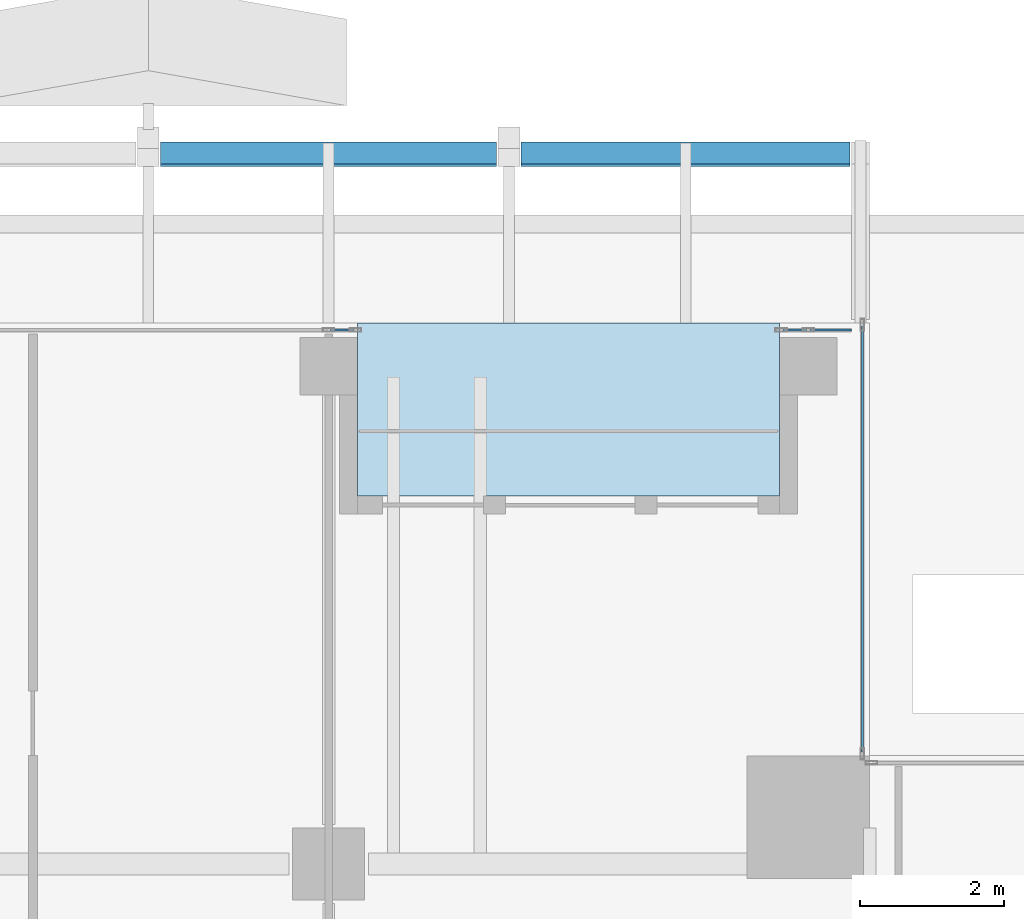
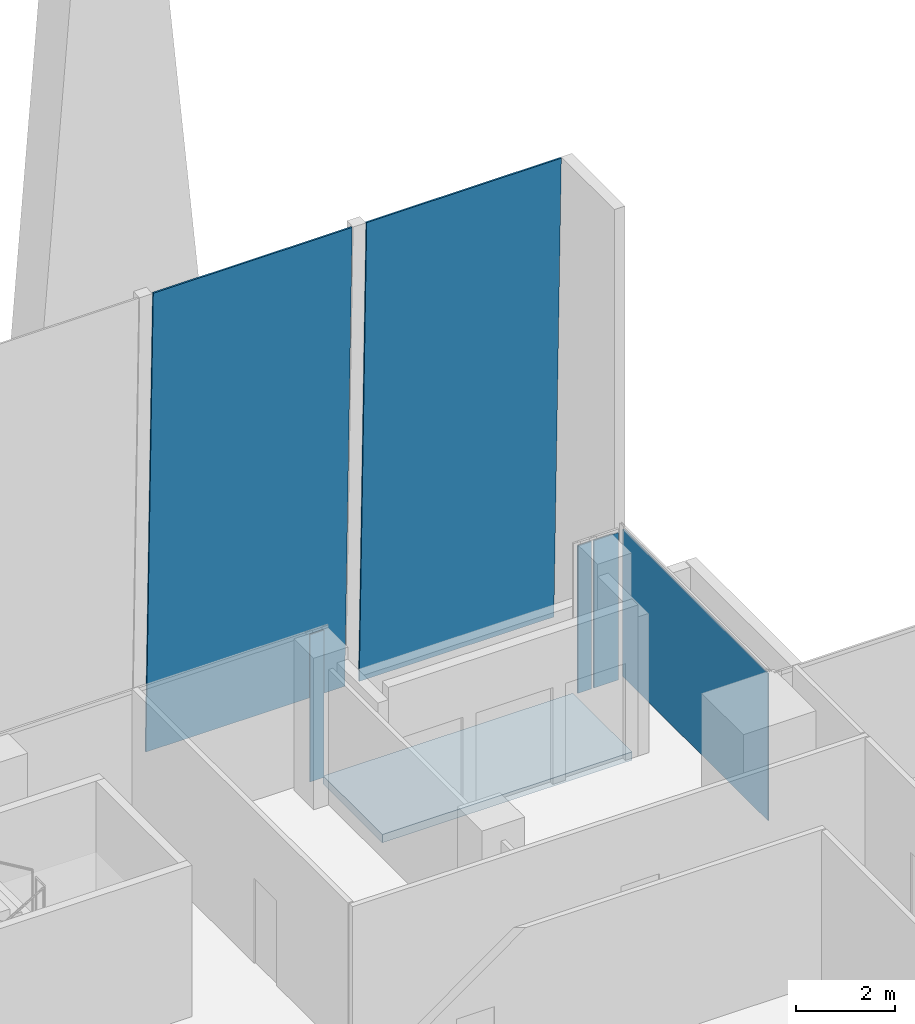
# One storey, part 24 of 32: 6 plates, 1 slab, 3 elements without a shape of their own.
"""IFC4 building model written with IfcOpenShell, lengths in metres."""

from ifc_helpers import new_model, si_unit, direction, frame, origin, origin_2d, place, context, subcontext, project, spatial, polyline, rectangle, outline, extrude, source, transform, mapped, material, layer, layer_set, type_object, element, aggregate, save


model = new_model("IFC4")

# Units and contexts
model_context = context("Model", 3, precision=1e-05, world=origin(), true_north=direction((0.0, 1.0)))
body_context = subcontext(model_context, "Body", "Model", "MODEL_VIEW")
ifc_project = project(units=[si_unit("LENGTHUNIT", "METRE"), si_unit("AREAUNIT", "SQUARE_METRE"), si_unit("VOLUMEUNIT", "CUBIC_METRE"), si_unit("PLANEANGLEUNIT", "RADIAN"), si_unit("MASSUNIT", "GRAM", prefix="KILO")], contexts=[model_context])

# Site, building, storey
site_placement = place(None, origin())
site = spatial("IfcSite", under=ifc_project, at=site_placement, CompositionType="ELEMENT")
building_placement = place(site_placement, origin())
building = spatial("IfcBuilding", under=site, at=building_placement, Name="Khomas Fold Tower", CompositionType="ELEMENT")
storey_placement = place(building_placement, frame((0.0, 0.0, 282.199951171875)))
storey = spatial("IfcBuildingStorey", under=building, at=storey_placement, Name="L63", CompositionType="ELEMENT", Elevation=282.199951171875)

# Plates
ifc_material_1 = material(Name="Clear laminated glass", Category="glass")
ifc_layer_1 = layer(ifc_material_1, 0.0400390625)
ifc_layer_set_1 = layer_set([ifc_layer_1], Name="Clear laminated glass")
plate_type_1 = type_object("IfcPlateType", Name="SK-Clear laminated glass leaf", PredefinedType="SHEET", material=ifc_layer_set_1)
plate_1_placement = place(storey_placement, frame((32.169921875, 50.50830078125, 0.0009765625), z_axis=(0.0, 0.999657230839, 0.026180543005), x_axis=(1.0, 0.0, 0.0)))
element("IfcPlate", 1, at=plate_1_placement, inside=storey, type_object=plate_type_1, Name="OUTER SKIN glass L63 N9", PredefinedType="SHEET", context=body_context, shape_type="SweptSolid", body=[
    extrude(outline(polyline([(0.0, 0.0), (4.66015625, 0.0), (4.66015625, -11.554009186164079), (0.0, -11.554009186164079), (0.0, 0.0)])), origin(), (0.0, 0.0, -1.0), 0.0400390625),
])
plate_2_placement = place(storey_placement, frame((37.169921875, 50.50830078125, 0.0009765625), z_axis=(0.0, 0.999657230839, 0.026180543005), x_axis=(1.0, 0.0, 0.0)))
element("IfcPlate", 2, at=plate_2_placement, inside=storey, type_object=plate_type_1, Name="OUTER SKIN glass L63 N11", PredefinedType="SHEET", context=body_context, shape_type="SweptSolid", body=[
    extrude(outline(polyline([(0.0, 0.0), (4.56005859375, 0.0), (4.56005859375, -11.554009186164079), (0.0, -11.554009186164079), (0.0, 0.0)])), origin(), (0.0, 0.0, -1.0), 0.0400390625),
])

# Curtain wall, plate
ifc_material_2 = material(Name="Aluminium framed double glazing", Category="aluminium")
curtain_wall_type = type_object("IfcCurtainWallType", Name="SK-Unitised clear-glass wall, upper floors CW3", PredefinedType="NOTDEFINED", material=ifc_material_2)
curtain_wall_1_placement = place(storey_placement, origin())
curtain_wall_1 = element("IfcCurtainWall", 3, at=curtain_wall_1_placement, inside=storey, type_object=curtain_wall_type, Name="CW3 run L63 06-0", PredefinedType="NOTDEFINED")
ifc_material_3 = material(Name="Clear double glazed unit")
ifc_layer_2 = layer(ifc_material_3, 0.028076171875)
ifc_layer_set_2 = layer_set([ifc_layer_2], Name="Clear double glazed unit")
plate_type_2 = type_object("IfcPlateType", Name="SK-Unitised clear-glass wall, upper floors glass panel CW3-P", PredefinedType="CURTAIN_PANEL", material=ifc_layer_set_2)
shared_shape_1 = source(origin(), body_context, "Body", "SweptSolid", [
    extrude(rectangle(XDim=0.574951171875, YDim=0.028076171875, at=origin_2d()), origin(), (0.0, 0.0, 1.0), 3.64990234375),
])
plate_3_placement = place(storey_placement, frame((41.46240234375, 47.89990234375, 0.0), z_axis=(0.0, 0.0, 1.0), x_axis=(-1.0, 0.0, 0.0)))
plate_3 = element("IfcPlate", 4, at=plate_3_placement, type_object=plate_type_2, Name="CW3 glass panel 1", PredefinedType="CURTAIN_PANEL", context=body_context, shape_type="MappedRepresentation", body=[
    mapped(shared_shape_1, transform((0.0, 0.0, 0.0))),
])

curtain_wall_2_placement = place(storey_placement, origin())
curtain_wall_2 = element("IfcCurtainWall", 5, at=curtain_wall_2_placement, inside=storey, type_object=curtain_wall_type, Name="CW3 corner return L63 05", PredefinedType="NOTDEFINED")
shared_shape_2 = source(origin(), body_context, "Body", "SweptSolid", [
    extrude(rectangle(XDim=5.89990234375, YDim=0.028076171875, at=origin_2d()), origin(), (0.0, 0.0, 1.0), 3.64990234375),
])
plate_4_placement = place(storey_placement, frame((41.89990234375, 45.0, 0.0), z_axis=(0.0, 0.0, 1.0), x_axis=(0.0, 1.0, 0.0)))
plate_4 = element("IfcPlate", 6, at=plate_4_placement, type_object=plate_type_2, Name="CW3 glass panel 1", PredefinedType="CURTAIN_PANEL", context=body_context, shape_type="MappedRepresentation", body=[
    mapped(shared_shape_2, transform((0.0, 0.0, 0.0))),
])
aggregate(curtain_wall_2, [plate_4])

# Plate
shared_shape_3 = source(origin(), body_context, "Body", "SweptSolid", [
    extrude(rectangle(XDim=0.324951171875, YDim=0.028076171875, at=origin_2d()), origin(), (0.0, 0.0, 1.0), 3.64990234375),
])
plate_5_placement = place(storey_placement, frame((40.96240234375, 47.89990234375, 0.0), z_axis=(0.0, 0.0, 1.0), x_axis=(-1.0, 0.0, 0.0)))
plate_5 = element("IfcPlate", 7, at=plate_5_placement, type_object=plate_type_2, Name="CW3 glass panel 2", PredefinedType="CURTAIN_PANEL", context=body_context, shape_type="MappedRepresentation", body=[
    mapped(shared_shape_3, transform((0.0, 0.0, 0.0))),
])

aggregate(curtain_wall_1, [plate_3, plate_5])

# Curtain wall, plate
curtain_wall_3_placement = place(storey_placement, origin())
curtain_wall_3 = element("IfcCurtainWall", 8, at=curtain_wall_3_placement, inside=storey, type_object=curtain_wall_type, Name="CW3 run L63 06-1", PredefinedType="NOTDEFINED")
plate_6_placement = place(storey_placement, frame((34.6875, 47.89990234375, 0.0), z_axis=(0.0, 0.0, 1.0), x_axis=(-1.0, 0.0, 0.0)))
plate_6 = element("IfcPlate", 9, at=plate_6_placement, type_object=plate_type_2, Name="CW3 glass panel 1", PredefinedType="CURTAIN_PANEL", context=body_context, shape_type="MappedRepresentation", body=[
    mapped(shared_shape_3, transform((0.0, 0.0, 0.0))),
])
aggregate(curtain_wall_3, [plate_6])

# Slab
ifc_material_4 = material(Name="Concrete C40/50", Category="concrete")
ifc_layer_3 = layer(ifc_material_4, 0.205078125)
ifc_layer_set_3 = layer_set([ifc_layer_3], Name="Concrete C40/50")
slab_type = type_object("IfcSlabType", Name="BL-Balcony deck 205", PredefinedType="FLOOR", material=ifc_layer_set_3)
shared_shape_4 = source(origin(), body_context, "Body", "SweptSolid", [
    extrude(outline(polyline([(34.89990234375, 45.60009765625), (40.75, 45.60009765625), (40.75, 48.0), (34.89990234375, 48.0), (34.89990234375, 45.60009765625)])), origin(), (0.0, 0.0, 1.0), 0.205078125),
])
slab_placement = place(storey_placement, frame((0.0, 0.0, -0.25)))
element("IfcSlab", 10, at=slab_placement, inside=storey, type_object=slab_type, Name="Balcony deck BAL-L63-N4", PredefinedType="FLOOR", context=body_context, shape_type="MappedRepresentation", body=[
    mapped(shared_shape_4, transform((0.0, 0.0, 0.0))),
])

save(model, "model.ifc")
